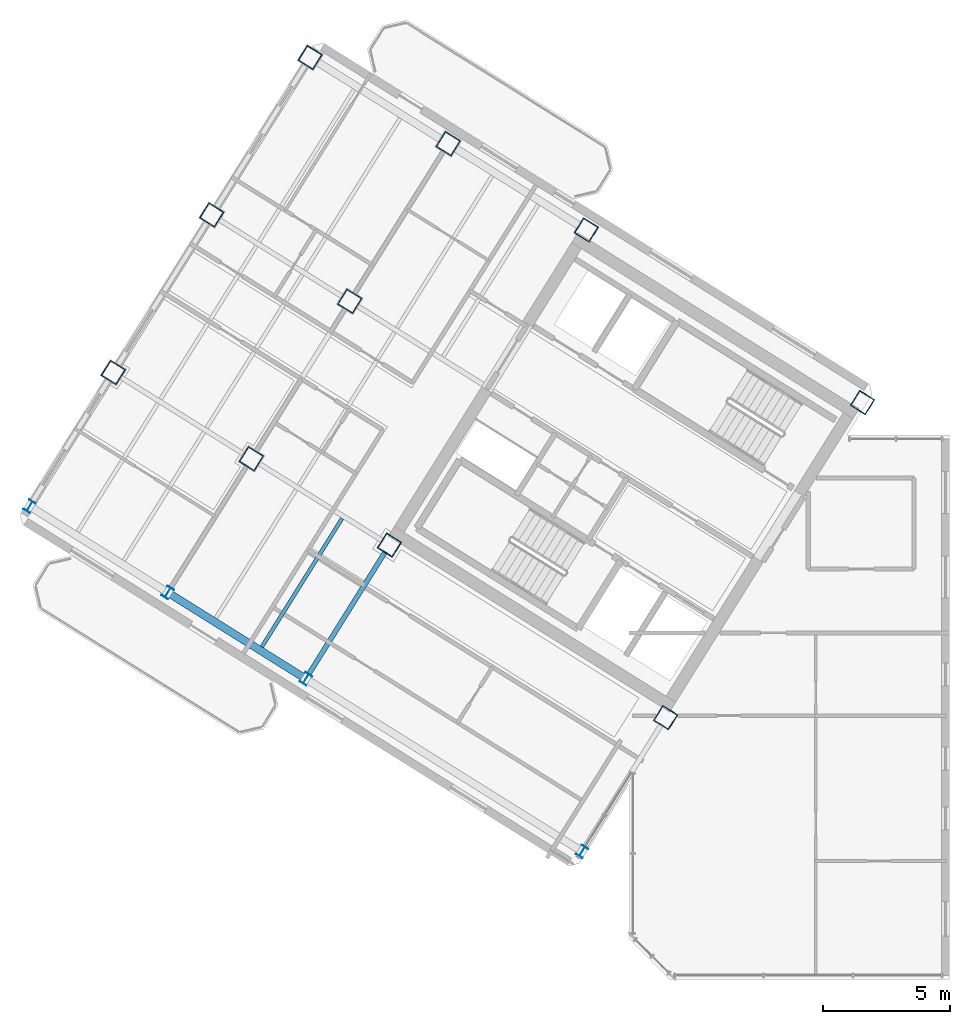
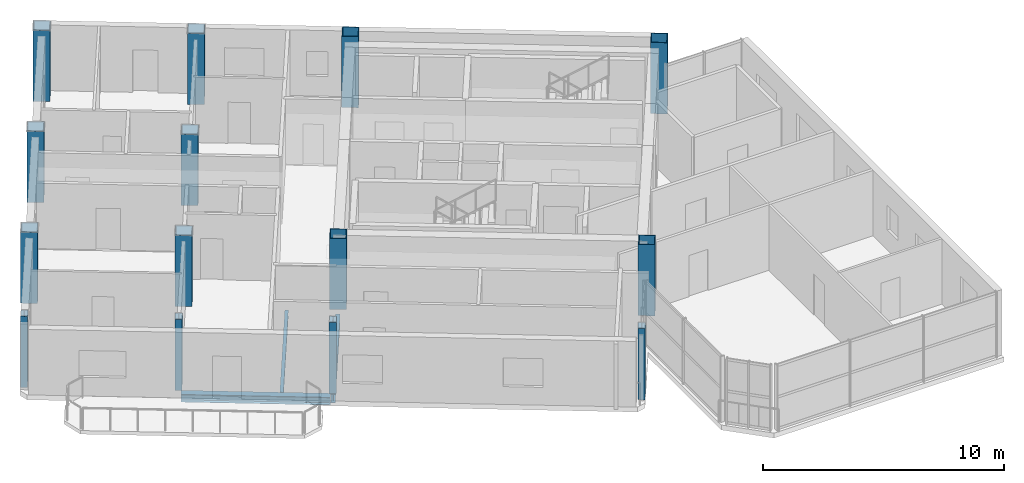
# One storey, part 1 of 13: 14 columns, 3 beams.
"""IFC4 building model written with IfcOpenShell, lengths in metres."""

from ifc_helpers import new_model, si_unit, direction, frame, origin, origin_2d, place, context, subcontext, project, spatial, hollow_rectangle, i_section, extrude, source, transform, mapped, material, material_profile, profile_set, type_object, element, save


model = new_model("IFC4")

# Units and contexts
model_context = context("Model", 3, precision=1e-05, world=origin(), true_north=direction((0.0, 1.0)))
body_context = subcontext(model_context, "Body", "Model", "MODEL_VIEW")
ifc_project = project(units=[si_unit("LENGTHUNIT", "METRE"), si_unit("AREAUNIT", "SQUARE_METRE"), si_unit("VOLUMEUNIT", "CUBIC_METRE"), si_unit("PLANEANGLEUNIT", "RADIAN"), si_unit("MASSUNIT", "GRAM", prefix="KILO")], contexts=[model_context])

# Site, building, storey
site_placement = place(None, origin())
site = spatial("IfcSite", under=ifc_project, at=site_placement, CompositionType="ELEMENT")
building_placement = place(site_placement, origin())
building = spatial("IfcBuilding", under=site, at=building_placement, Name="Tlacorven Tower", CompositionType="ELEMENT")
storey_placement = place(building_placement, frame((0.0, 0.0, 295.199951171875)))
storey = spatial("IfcBuildingStorey", under=building, at=storey_placement, Name="L75", CompositionType="ELEMENT", Elevation=295.199951171875)

# Columns
ifc_material_1 = material(Name="Steel S355J2", Category="steel")
ifc_material_profile_1 = material_profile(ifc_material_1, i_section(OverallWidth=0.300048828125, OverallDepth=0.449951171875, WebThickness=0.013916015625, FlangeThickness=0.02587890625, at=origin_2d()), Name="HEB 450")
ifc_profile_set_1 = profile_set([ifc_material_profile_1], Name="Steel S355J2")
column_type_1 = type_object("IfcColumnType", Name="COL-TWR-P3", PredefinedType="COLUMN", material=ifc_profile_set_1)
shared_shape_1 = source(origin(), body_context, "Body", "SweptSolid", [
    extrude(i_section(OverallWidth=0.300048828125, OverallDepth=0.449951171875, WebThickness=0.013916015625, FlangeThickness=0.02587890625, at=origin_2d()), origin(), (0.0, 0.0, 1.0), 3.60009765625),
])
for number, where, z_axis, x_axis, name in (
    (1, (29.7607421875, 6.8291015625, 0.0), (0.0, 0.0, 1.0), (-0.848048096156, 0.529919264233, 0.0), "L75 column COL-L75-W1-4"),
    (2, (18.905517578125, 13.612060546875, 0.0), (0.0, 0.0, 1.0), (-0.848048096156, 0.529919264233, 0.0), "L75 column COL-L75-W3-4"),
    (3, (13.47802734375, 17.00341796875, 0.0), (0.0, 0.0, 1.0), (-0.848048096156, 0.529919264233, 0.0), "L75 column COL-L75-W4-4"),
    (4, (8.050537109375, 20.39501953125, 0.0), (0.0, 0.0, 1.0), (-0.848048096156, 0.529919264233, 0.0), "L75 column COL-L75-W5-4"),
):
    element("IfcColumn", number, at=place(storey_placement, frame(where, z_axis=z_axis, x_axis=x_axis)), inside=storey, type_object=column_type_1, Name=name, PredefinedType="COLUMN", context=body_context, shape_type="MappedRepresentation", body=[
        mapped(shared_shape_1, transform((0.0, 0.0, 0.0), scale=1.0)),
    ])
ifc_material_2 = material(Name="Steel S460M", Category="steel")
ifc_material_profile_2 = material_profile(ifc_material_2, hollow_rectangle(XDim=0.699951171875, YDim=0.699951171875, WallThickness=0.028076171875, at=origin_2d()), Name="BOX 700X700X28")
ifc_profile_set_2 = profile_set([ifc_material_profile_2], Name="Steel S460M")
column_type_2 = type_object("IfcColumnType", Name="COL-TWR-S4", PredefinedType="COLUMN", material=ifc_profile_set_2)
shared_shape_2 = source(origin(), body_context, "Body", "SweptSolid", [
    extrude(hollow_rectangle(XDim=0.699951171875, YDim=0.699951171875, WallThickness=0.028076171875, at=origin_2d()), origin(), (0.0, 0.0, 1.0), 3.60009765625),
])
for number, where, z_axis, x_axis, name in (
    (5, (40.782958984375, 24.468505859375, 0.0), (0.0, 0.0, 1.0), (-0.848048096156, 0.529919264233, 0.0), "L75 column COL-L75-W1-1"),
    (6, (33.046142578125, 12.0869140625, 0.0), (0.0, 0.0, 1.0), (-0.848048096156, 0.529919264233, 0.0), "L75 column COL-L75-W1-3"),
    (7, (29.927978515625, 31.25146484375, 0.0), (0.0, 0.0, 1.0), (-0.848048096156, 0.529919264233, 0.0), "L75 column COL-L75-W3-1"),
    (8, (22.191162109375, 18.869873046875, 0.0), (0.0, 0.0, 1.0), (-0.848048096156, 0.529919264233, 0.0), "L75 column COL-L75-W3-3"),
    (9, (24.50048828125, 34.642822265625, 0.0), (0.0, 0.0, 1.0), (-0.848048096156, 0.529919264233, 0.0), "L75 column COL-L75-W4-1"),
    (10, (20.632080078125, 28.4521484375, 0.0), (0.0, 0.0, 1.0), (-0.848048096156, 0.529919264233, 0.0), "L75 column COL-L75-W4-2"),
    (11, (16.763671875, 22.26123046875, 0.0), (0.0, 0.0, 1.0), (-0.848048096156, 0.529919264233, 0.0), "L75 column COL-L75-W4-3"),
    (12, (19.072998046875, 38.034423828125, 0.0), (0.0, 0.0, 1.0), (-0.848048096156, 0.529919264233, 0.0), "L75 column COL-L75-W5-1"),
    (13, (15.20458984375, 31.843505859375, 0.0), (0.0, 0.0, 1.0), (-0.848048096156, 0.529919264233, 0.0), "L75 column COL-L75-W5-2"),
    (14, (11.336181640625, 25.65283203125, 0.0), (0.0, 0.0, 1.0), (-0.848048096156, 0.529919264233, 0.0), "L75 column COL-L75-W5-3"),
):
    element("IfcColumn", number, at=place(storey_placement, frame(where, z_axis=z_axis, x_axis=x_axis)), inside=storey, type_object=column_type_2, Name=name, PredefinedType="COLUMN", context=body_context, shape_type="MappedRepresentation", body=[
        mapped(shared_shape_2, transform((0.0, 0.0, 0.0), scale=1.0)),
    ])

# Beams
ifc_material_profile_3 = material_profile(ifc_material_1, i_section(OverallWidth=0.300048828125, OverallDepth=0.389892578125, WebThickness=0.010986328125, FlangeThickness=0.01904296875, at=origin_2d()), Name="HEA 400")
ifc_profile_set_3 = profile_set([ifc_material_profile_3], Name="Steel S355J2")
beam_type_1 = type_object("IfcBeamType", Name="BM-SPN-400", PredefinedType="SPANDREL", material=ifc_profile_set_3)
shared_shape_3 = source(origin(), body_context, "Body", "SweptSolid", [
    extrude(i_section(OverallWidth=0.300048828125, OverallDepth=0.389892578125, WebThickness=0.010986328125, FlangeThickness=0.01904296875, at=origin_2d()), origin(), (0.0, 0.0, 1.0), 6.199951171875),
])
beam_1_placement = place(storey_placement, frame((18.82080078125, 13.6650390625, -0.445068359375), z_axis=(-0.848051394107, 0.529913986372, 0.0), x_axis=(-0.529913986372, -0.848051394107, 0.0)))
element("IfcBeam", 15, at=beam_1_placement, inside=storey, type_object=beam_type_1, Name="L75 beam BM-L75-WL4-3", PredefinedType="SPANDREL", context=body_context, shape_type="MappedRepresentation", body=[
    mapped(shared_shape_3, transform((0.0, 0.0, 0.0), scale=1.0)),
])
ifc_material_profile_4 = material_profile(ifc_material_1, i_section(OverallWidth=0.14990234375, OverallDepth=0.300048828125, WebThickness=0.007080078125, FlangeThickness=0.0107421875, at=origin_2d()), Name="IPE 300")
ifc_profile_set_4 = profile_set([ifc_material_profile_4], Name="Steel S355J2")
beam_type_2 = type_object("IfcBeamType", Name="BM-JST-300", PredefinedType="JOIST", material=ifc_profile_set_4)
shared_shape_4 = source(origin(), body_context, "Body", "SweptSolid", [
    extrude(i_section(OverallWidth=0.14990234375, OverallDepth=0.300048828125, WebThickness=0.007080078125, FlangeThickness=0.0107421875, at=origin_2d()), origin(), (0.0, 0.0, 1.0), 5.945068359375),
])
beam_2_placement = place(storey_placement, frame((20.3291015625, 19.91552734375, -0.39990234375), z_axis=(-0.529914037113, -0.848051362401, 0.0), x_axis=(0.848051362401, -0.529914037113, 0.0)))
element("IfcBeam", 16, at=beam_2_placement, inside=storey, type_object=beam_type_2, Name="L75 beam BM-L75-WJ3-3-1", PredefinedType="JOIST", context=body_context, shape_type="MappedRepresentation", body=[
    mapped(shared_shape_4, transform((0.0, 0.0, 0.0), scale=1.0)),
])
ifc_material_profile_5 = material_profile(ifc_material_1, i_section(OverallWidth=0.18994140625, OverallDepth=0.449951171875, WebThickness=0.009521484375, FlangeThickness=0.0146484375, at=origin_2d()), Name="IPE 450")
ifc_profile_set_5 = profile_set([ifc_material_profile_5], Name="Steel S355J2")
beam_type_3 = type_object("IfcBeamType", Name="BM-TWR-450", PredefinedType="BEAM", material=ifc_profile_set_5)
shared_shape_5 = source(origin(), body_context, "Body", "SweptSolid", [
    extrude(i_section(OverallWidth=0.18994140625, OverallDepth=0.449951171875, WebThickness=0.009521484375, FlangeThickness=0.0146484375, at=origin_2d()), origin(), (0.0, 0.0, 1.0), 5.800048828125),
])
beam_3_placement = place(storey_placement, frame((22.0322265625, 18.615478515625, -0.474853515625), z_axis=(-0.52994218514, -0.848033773154, 0.0), x_axis=(0.848033773154, -0.52994218514, 0.0)))
element("IfcBeam", 17, at=beam_3_placement, inside=storey, type_object=beam_type_3, Name="L75 beam BM-L75-WT3-2", PredefinedType="BEAM", context=body_context, shape_type="MappedRepresentation", body=[
    mapped(shared_shape_5, transform((0.0, 0.0, 0.0), scale=1.0)),
])

save(model, "model.ifc")
